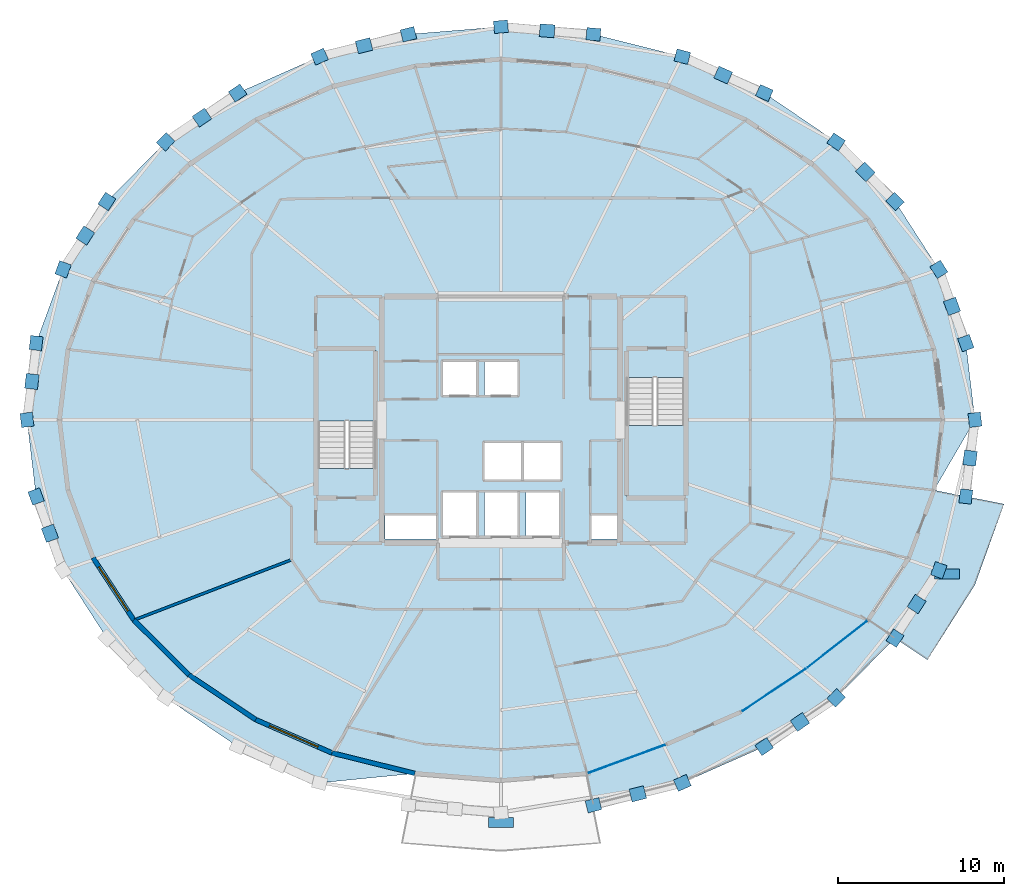
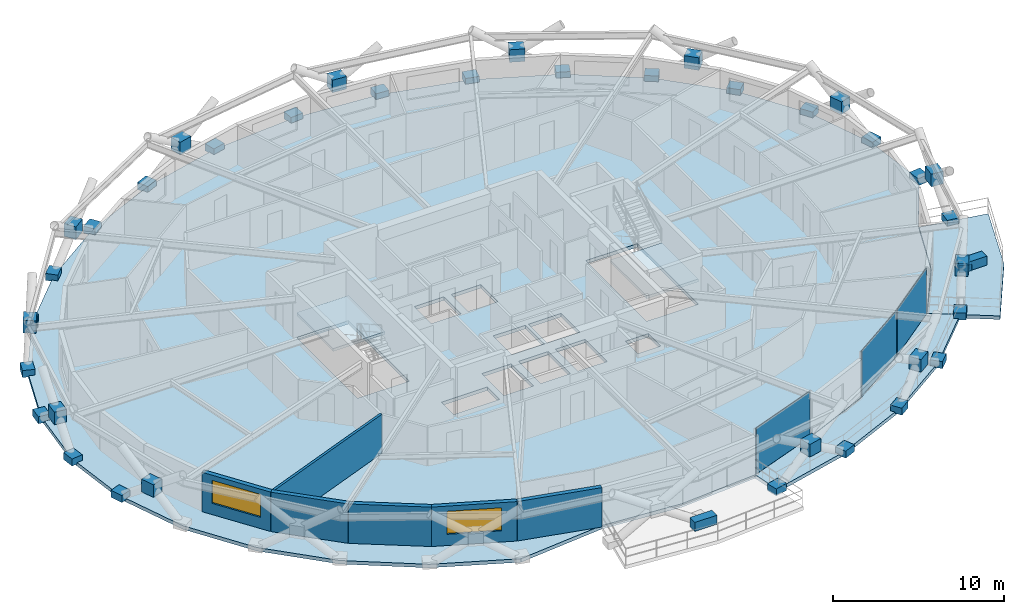
# One storey, part 6 of 12: 43 plates, 6 walls, 5 slabs, 2 windows, 2 openings, 4 elements without a shape of their own.
"""IFC4 building model written with IfcOpenShell, lengths in metres."""

from ifc_helpers import new_model, si_unit, direction, frame, frame_2d, origin, origin_2d, place, context, subcontext, project, spatial, polyline, rectangle, outline, extrude, material, layer, layer_set, type_object, element, fill, aggregate, save


model = new_model("IFC4")

# Units and contexts
model_context = context("Model", 3, precision=1e-05, world=origin(), true_north=direction((0.0, 1.0)))
body_context = subcontext(model_context, "Body", "Model", "MODEL_VIEW")
ifc_project = project(units=[si_unit("LENGTHUNIT", "METRE"), si_unit("AREAUNIT", "SQUARE_METRE"), si_unit("VOLUMEUNIT", "CUBIC_METRE"), si_unit("PLANEANGLEUNIT", "RADIAN"), si_unit("MASSUNIT", "GRAM", prefix="KILO")], contexts=[model_context])

# Site, building, storey
site_placement = place(None, origin())
site = spatial("IfcSite", under=ifc_project, at=site_placement, CompositionType="ELEMENT")
building_placement = place(site_placement, origin())
building = spatial("IfcBuilding", under=site, at=building_placement, Name="Veldorina Hangang Commons", CompositionType="ELEMENT")
storey_placement = place(building_placement, frame((0.0, 0.0, 124.39990234375)))
storey = spatial("IfcBuildingStorey", under=building, at=storey_placement, Name="L31", CompositionType="ELEMENT", Elevation=124.39990234375)

# Curtain wall, plate
ifc_material_1 = material(Name="Glass Low-E Triple IGU", Category="glass")
ifc_layer_1 = layer(ifc_material_1, 0.179931640625)
ifc_layer_set_1 = layer_set([ifc_layer_1], Name="Glass Low-E Triple IGU")
curtain_wall_type = type_object("IfcCurtainWallType", Name="CW-SYS-Z2", PredefinedType="NOTDEFINED", material=ifc_layer_set_1)
curtain_wall_1_placement = place(storey_placement, origin())
curtain_wall_1 = element("IfcCurtainWall", 1, at=curtain_wall_1_placement, inside=storey, type_object=curtain_wall_type, Name="L31 unitised curtain wall CW-L31-R1", PredefinedType="NOTDEFINED")
ifc_layer_2 = layer(ifc_material_1, 0.0400390625)
ifc_layer_set_2 = layer_set([ifc_layer_2], Name="Glass Low-E Triple IGU")
plate_type_1 = type_object("IfcPlateType", Name="CW-PNL-VIS", PredefinedType="CURTAIN_PANEL", material=ifc_layer_set_2)
plate_1_placement = place(storey_placement, frame((39.596435546875, 3.518310546875, 0.01513671875), z_axis=(0.0, 0.0, 1.0), x_axis=(0.938812030489, 0.344429922349, 0.0)))
plate_1 = element("IfcPlate", 2, at=plate_1_placement, type_object=plate_type_1, Name="CW-L31-R1 facet 1 glazed vision panel", PredefinedType="CURTAIN_PANEL", context=body_context, shape_type="SweptSolid", body=[
    extrude(rectangle(XDim=4.92041015625, YDim=0.0400390625, at=origin_2d()), origin(), (0.0, 0.0, 1.0), 3.280029296875),
])
aggregate(curtain_wall_1, [plate_1])

# Curtain wall, plates
curtain_wall_2_placement = place(storey_placement, origin())
curtain_wall_2 = element("IfcCurtainWall", 3, at=curtain_wall_2_placement, inside=storey, type_object=curtain_wall_type, Name="L31 unitised curtain wall CW-L31-R2", PredefinedType="NOTDEFINED")
plate_2_placement = place(storey_placement, frame((48.482177734375, 7.6767578125, 0.01513671875), z_axis=(0.0, 0.0, 1.0), x_axis=(0.831925069404, 0.554887987703, 0.0)))
plate_2 = element("IfcPlate", 4, at=plate_2_placement, type_object=plate_type_1, Name="CW-L31-R2 facet 1 glazed vision panel", PredefinedType="CURTAIN_PANEL", context=body_context, shape_type="SweptSolid", body=[
    extrude(rectangle(XDim=4.575439453125, YDim=0.0400390625, at=origin_2d()), origin(), (0.0, 0.0, 1.0), 3.280029296875),
])
plate_3_placement = place(storey_placement, frame((52.31640625, 10.4482421875, 0.01513671875), z_axis=(0.0, 0.0, 1.0), x_axis=(0.787602258173, 0.616183968406, 0.0)))
plate_3 = element("IfcPlate", 5, at=plate_3_placement, type_object=plate_type_1, Name="CW-L31-R2 facet 2 glazed vision panel", PredefinedType="CURTAIN_PANEL", context=body_context, shape_type="SweptSolid", body=[
    extrude(rectangle(XDim=4.533447265625, YDim=0.0400390625, at=origin_2d()), origin(), (0.0, 0.0, 1.0), 3.280029296875),
])
aggregate(curtain_wall_2, [plate_2, plate_3])

# Plates
ifc_material_2 = material(Name="Steel SM460-TMC", Category="steel")
ifc_layer_3 = layer(ifc_material_2, 0.035888671875)
ifc_layer_set_3 = layer_set([ifc_layer_3], Name="Steel SM460-TMC")
plate_type_2 = type_object("IfcPlateType", Name="PL-STAR-36", PredefinedType="USERDEFINED", material=ifc_layer_set_3)
for number, where, z_axis, x_axis, name in (
    (6, (60.626708984375, 24.0, -0.08984375), (0.0, 0.0, 1.0), (-0.117953362677, 0.993019135885, 0.0), "L31 diagrid star-node gusset plate 00"),
    (7, (60.076416015625, 28.631103515625, -0.08984375), (0.0, 0.0, 1.0), (-0.343544960014, 0.939136231038, 0.0), "L31 diagrid star-node gusset plate 01"),
):
    element("IfcPlate", number, at=place(storey_placement, frame(where, z_axis=z_axis, x_axis=x_axis)), inside=storey, type_object=plate_type_2, Name=name, ObjectType="GUSSET PLATE", PredefinedType="USERDEFINED", context=body_context, shape_type="SweptSolid", body=[
        extrude(rectangle(XDim=0.85009765625, YDim=0.75, at=origin_2d()), origin(), (0.0, 0.0, 1.0), 0.5),
    ])
plate_4_placement = place(storey_placement, frame((59.242431640625, 30.853759765625, 1.351318359375), z_axis=(0.0, 0.0, 1.0), x_axis=(-0.343544960014, 0.939136231038, 0.0)))
element("IfcPlate", 8, at=plate_4_placement, inside=storey, type_object=plate_type_2, Name="L31 diagrid X-crossing star-node gusset plate 01", ObjectType="GUSSET PLATE", PredefinedType="USERDEFINED", context=body_context, shape_type="SweptSolid", body=[
    extrude(rectangle(XDim=0.89990234375, YDim=0.780029296875, at=origin_2d()), origin(), (0.0, 0.0, 1.0), 0.89990234375),
])
for number, where, z_axis, x_axis, name in (
    (9, (58.447509765625, 33.08447265625, -0.08984375), (0.0, 0.0, 1.0), (-0.541781561494, 0.840519327336, 0.0), "L31 diagrid star-node gusset plate 02"),
    (10, (55.802001953125, 37.1884765625, -0.08984375), (0.0, 0.0, 1.0), (-0.703419513964, 0.710774920333, 0.0), "L31 diagrid star-node gusset plate 03"),
):
    element("IfcPlate", number, at=place(storey_placement, frame(where, z_axis=z_axis, x_axis=x_axis)), inside=storey, type_object=plate_type_2, Name=name, ObjectType="GUSSET PLATE", PredefinedType="USERDEFINED", context=body_context, shape_type="SweptSolid", body=[
        extrude(rectangle(XDim=0.85009765625, YDim=0.75, at=origin_2d()), origin(), (0.0, 0.0, 1.0), 0.5),
    ])
plate_5_placement = place(storey_placement, frame((54.00634765625, 38.97802734375, 1.351318359375), z_axis=(0.0, 0.0, 1.0), x_axis=(-0.703419513964, 0.710774920333, 0.0)))
element("IfcPlate", 11, at=plate_5_placement, inside=storey, type_object=plate_type_2, Name="L31 diagrid X-crossing star-node gusset plate 03", ObjectType="GUSSET PLATE", PredefinedType="USERDEFINED", context=body_context, shape_type="SweptSolid", body=[
    extrude(rectangle(XDim=0.89990234375, YDim=0.780029296875, at=origin_2d()), origin(), (0.0, 0.0, 1.0), 0.89990234375),
])
for number, where, z_axis, x_axis, name in (
    (12, (52.2421875, 40.78564453125, -0.08984375), (0.0, 0.0, 1.0), (-0.826717424237, 0.562617365945, 0.0), "L31 diagrid star-node gusset plate 04"),
    (13, (47.904052734375, 43.73779296875, -0.08984375), (0.0, 0.0, 1.0), (-0.91421859648, 0.405221368946, 0.0), "L31 diagrid star-node gusset plate 05"),
):
    element("IfcPlate", number, at=place(storey_placement, frame(where, z_axis=z_axis, x_axis=x_axis)), inside=storey, type_object=plate_type_2, Name=name, ObjectType="GUSSET PLATE", PredefinedType="USERDEFINED", context=body_context, shape_type="SweptSolid", body=[
        extrude(rectangle(XDim=0.85009765625, YDim=0.75, at=origin_2d()), origin(), (0.0, 0.0, 1.0), 0.5),
    ])
plate_6_placement = place(storey_placement, frame((45.419921875, 44.822265625, 1.3515625), z_axis=(0.0, 0.0, 1.0), x_axis=(-0.91421859648, 0.405221368946, 0.0)))
element("IfcPlate", 14, at=plate_6_placement, inside=storey, type_object=plate_type_2, Name="L31 diagrid X-crossing star-node gusset plate 05", ObjectType="GUSSET PLATE", PredefinedType="USERDEFINED", context=body_context, shape_type="SweptSolid", body=[
    extrude(rectangle(XDim=0.89990234375, YDim=0.780029296875, at=origin_2d()), origin(), (0.0, 0.0, 1.0), 0.89990234375),
])
for number, where, z_axis, x_axis, name in (
    (15, (42.954833984375, 45.931640625, -0.08984375), (0.0, 0.0, 1.0), (-0.969786918517, 0.243953546137, 0.0), "L31 diagrid star-node gusset plate 06"),
    (16, (37.584716796875, 47.282470703125, -0.08984375), (0.0, 0.0, 1.0), (-0.996681573939, 0.081399263944, 0.0), "L31 diagrid star-node gusset plate 07"),
):
    element("IfcPlate", number, at=place(storey_placement, frame(where, z_axis=z_axis, x_axis=x_axis)), inside=storey, type_object=plate_type_2, Name=name, ObjectType="GUSSET PLATE", PredefinedType="USERDEFINED", context=body_context, shape_type="SweptSolid", body=[
        extrude(rectangle(XDim=0.85009765625, YDim=0.75, at=origin_2d()), origin(), (0.0, 0.0, 1.0), 0.5),
    ])
plate_7_placement = place(storey_placement, frame((34.790283203125, 47.496337890625, 1.3515625), z_axis=(0.0, 0.0, 1.0), x_axis=(-0.996681573939, 0.081399263944, 0.0)))
element("IfcPlate", 17, at=plate_7_placement, inside=storey, type_object=plate_type_2, Name="L31 diagrid X-crossing star-node gusset plate 07", ObjectType="GUSSET PLATE", PredefinedType="USERDEFINED", context=body_context, shape_type="SweptSolid", body=[
    extrude(rectangle(XDim=0.89990234375, YDim=0.780029296875, at=origin_2d()), origin(), (0.0, 0.0, 1.0), 0.89990234375),
])
for number, where, z_axis, x_axis, name in (
    (18, (32.0, 47.738525390625, -0.08984375), (0.0, 0.0, 1.0), (-0.996681573939, -0.081399263944, 0.0), "L31 diagrid star-node gusset plate 08"),
    (19, (26.415283203125, 47.282470703125, -0.08984375), (0.0, 0.0, 1.0), (-0.969786918517, -0.243953546137, 0.0), "L31 diagrid star-node gusset plate 09"),
):
    element("IfcPlate", number, at=place(storey_placement, frame(where, z_axis=z_axis, x_axis=x_axis)), inside=storey, type_object=plate_type_2, Name=name, ObjectType="GUSSET PLATE", PredefinedType="USERDEFINED", context=body_context, shape_type="SweptSolid", body=[
        extrude(rectangle(XDim=0.85009765625, YDim=0.75, at=origin_2d()), origin(), (0.0, 0.0, 1.0), 0.5),
    ])
plate_8_placement = place(storey_placement, frame((23.736083984375, 46.59326171875, 1.3515625), z_axis=(0.0, 0.0, 1.0), x_axis=(-0.969786918517, -0.243953546137, 0.0)))
element("IfcPlate", 20, at=plate_8_placement, inside=storey, type_object=plate_type_2, Name="L31 diagrid X-crossing star-node gusset plate 09", ObjectType="GUSSET PLATE", PredefinedType="USERDEFINED", context=body_context, shape_type="SweptSolid", body=[
    extrude(rectangle(XDim=0.89990234375, YDim=0.780029296875, at=origin_2d()), origin(), (0.0, 0.0, 1.0), 0.89990234375),
])
for number, where, z_axis, x_axis, name in (
    (21, (21.045166015625, 45.931640625, -0.08984375), (0.0, 0.0, 1.0), (-0.91421859648, -0.405221368946, 0.0), "L31 diagrid star-node gusset plate 10"),
    (22, (16.095947265625, 43.73779296875, -0.08984375), (0.0, 0.0, 1.0), (-0.826717424237, -0.562617365945, 0.0), "L31 diagrid star-node gusset plate 11"),
):
    element("IfcPlate", number, at=place(storey_placement, frame(where, z_axis=z_axis, x_axis=x_axis)), inside=storey, type_object=plate_type_2, Name=name, ObjectType="GUSSET PLATE", PredefinedType="USERDEFINED", context=body_context, shape_type="SweptSolid", body=[
        extrude(rectangle(XDim=0.85009765625, YDim=0.75, at=origin_2d()), origin(), (0.0, 0.0, 1.0), 0.5),
    ])
plate_9_placement = place(storey_placement, frame((13.93994140625, 42.25048828125, 1.351318359375), z_axis=(0.0, 0.0, 1.0), x_axis=(-0.826717424237, -0.562617365945, 0.0)))
element("IfcPlate", 23, at=plate_9_placement, inside=storey, type_object=plate_type_2, Name="L31 diagrid X-crossing star-node gusset plate 11", ObjectType="GUSSET PLATE", PredefinedType="USERDEFINED", context=body_context, shape_type="SweptSolid", body=[
    extrude(rectangle(XDim=0.89990234375, YDim=0.780029296875, at=origin_2d()), origin(), (0.0, 0.0, 1.0), 0.89990234375),
])
for number, where, z_axis, x_axis, name in (
    (24, (11.7578125, 40.78564453125, -0.08984375), (0.0, 0.0, 1.0), (-0.703419513964, -0.710774920333, 0.0), "L31 diagrid star-node gusset plate 12"),
    (25, (8.197998046875, 37.1884765625, -0.08984375), (0.0, 0.0, 1.0), (-0.541781561494, -0.840519327336, 0.0), "L31 diagrid star-node gusset plate 13"),
):
    element("IfcPlate", number, at=place(storey_placement, frame(where, z_axis=z_axis, x_axis=x_axis)), inside=storey, type_object=plate_type_2, Name=name, ObjectType="GUSSET PLATE", PredefinedType="USERDEFINED", context=body_context, shape_type="SweptSolid", body=[
        extrude(rectangle(XDim=0.85009765625, YDim=0.75, at=origin_2d()), origin(), (0.0, 0.0, 1.0), 0.5),
    ])
plate_10_placement = place(storey_placement, frame((6.893310546875, 35.129638671875, 1.351318359375), z_axis=(0.0, 0.0, 1.0), x_axis=(-0.541781561494, -0.840519327336, 0.0)))
element("IfcPlate", 26, at=plate_10_placement, inside=storey, type_object=plate_type_2, Name="L31 diagrid X-crossing star-node gusset plate 13", ObjectType="GUSSET PLATE", PredefinedType="USERDEFINED", context=body_context, shape_type="SweptSolid", body=[
    extrude(rectangle(XDim=0.89990234375, YDim=0.780029296875, at=origin_2d()), origin(), (0.0, 0.0, 1.0), 0.89990234375),
])
for number, where, z_axis, x_axis, name in (
    (27, (5.552490234375, 33.08447265625, -0.08984375), (0.0, 0.0, 1.0), (-0.343544960014, -0.939136231038, 0.0), "L31 diagrid star-node gusset plate 14"),
    (28, (3.923583984375, 28.631103515625, -0.08984375), (0.0, 0.0, 1.0), (-0.117953362677, -0.993019135885, 0.0), "L31 diagrid star-node gusset plate 15"),
):
    element("IfcPlate", number, at=place(storey_placement, frame(where, z_axis=z_axis, x_axis=x_axis)), inside=storey, type_object=plate_type_2, Name=name, ObjectType="GUSSET PLATE", PredefinedType="USERDEFINED", context=body_context, shape_type="SweptSolid", body=[
        extrude(rectangle(XDim=0.85009765625, YDim=0.75, at=origin_2d()), origin(), (0.0, 0.0, 1.0), 0.5),
    ])
plate_11_placement = place(storey_placement, frame((3.668701171875, 26.314208984375, 1.351318359375), z_axis=(0.0, 0.0, 1.0), x_axis=(-0.117953362677, -0.993019135885, 0.0)))
element("IfcPlate", 29, at=plate_11_placement, inside=storey, type_object=plate_type_2, Name="L31 diagrid X-crossing star-node gusset plate 15", ObjectType="GUSSET PLATE", PredefinedType="USERDEFINED", context=body_context, shape_type="SweptSolid", body=[
    extrude(rectangle(XDim=0.89990234375, YDim=0.780029296875, at=origin_2d()), origin(), (0.0, 0.0, 1.0), 0.89990234375),
])
for number, where, z_axis, x_axis, name in (
    (30, (3.373291015625, 24.0, -0.08984375), (0.0, 0.0, 1.0), (0.117953362677, -0.993019135885, 0.0), "L31 diagrid star-node gusset plate 16"),
    (31, (3.923583984375, 19.368896484375, -0.08984375), (0.0, 0.0, 1.0), (0.343544960014, -0.939136231038, 0.0), "L31 diagrid star-node gusset plate 17"),
):
    element("IfcPlate", number, at=place(storey_placement, frame(where, z_axis=z_axis, x_axis=x_axis)), inside=storey, type_object=plate_type_2, Name=name, ObjectType="GUSSET PLATE", PredefinedType="USERDEFINED", context=body_context, shape_type="SweptSolid", body=[
        extrude(rectangle(XDim=0.85009765625, YDim=0.75, at=origin_2d()), origin(), (0.0, 0.0, 1.0), 0.5),
    ])
plate_12_placement = place(storey_placement, frame((4.757568359375, 17.146240234375, 1.351318359375), z_axis=(0.0, 0.0, 1.0), x_axis=(0.343544960014, -0.939136231038, 0.0)))
element("IfcPlate", 32, at=plate_12_placement, inside=storey, type_object=plate_type_2, Name="L31 diagrid X-crossing star-node gusset plate 17", ObjectType="GUSSET PLATE", PredefinedType="USERDEFINED", context=body_context, shape_type="SweptSolid", body=[
    extrude(rectangle(XDim=0.89990234375, YDim=0.780029296875, at=origin_2d()), origin(), (0.0, 0.0, 1.0), 0.89990234375),
])
plate_13_placement = place(storey_placement, frame((37.584716796875, 0.717529296875, -0.08984375), z_axis=(0.0, 0.0, 1.0), x_axis=(0.969786918517, 0.243953546137, 0.0)))
element("IfcPlate", 33, at=plate_13_placement, inside=storey, type_object=plate_type_2, Name="L31 diagrid star-node gusset plate 25", ObjectType="GUSSET PLATE", PredefinedType="USERDEFINED", context=body_context, shape_type="SweptSolid", body=[
    extrude(rectangle(XDim=0.85009765625, YDim=0.75, at=origin_2d()), origin(), (0.0, 0.0, 1.0), 0.5),
])
plate_14_placement = place(storey_placement, frame((40.263916015625, 1.40673828125, 1.3515625), z_axis=(0.0, 0.0, 1.0), x_axis=(0.969786918517, 0.243953546137, 0.0)))
element("IfcPlate", 34, at=plate_14_placement, inside=storey, type_object=plate_type_2, Name="L31 diagrid X-crossing star-node gusset plate 25", ObjectType="GUSSET PLATE", PredefinedType="USERDEFINED", context=body_context, shape_type="SweptSolid", body=[
    extrude(rectangle(XDim=0.89990234375, YDim=0.780029296875, at=origin_2d()), origin(), (0.0, 0.0, 1.0), 0.89990234375),
])
for number, where, z_axis, x_axis, name in (
    (35, (42.954833984375, 2.068359375, -0.08984375), (0.0, 0.0, 1.0), (0.91421859648, 0.405221368946, 0.0), "L31 diagrid star-node gusset plate 26"),
    (36, (47.904052734375, 4.26220703125, -0.08984375), (0.0, 0.0, 1.0), (0.826717424237, 0.562617365945, 0.0), "L31 diagrid star-node gusset plate 27"),
):
    element("IfcPlate", number, at=place(storey_placement, frame(where, z_axis=z_axis, x_axis=x_axis)), inside=storey, type_object=plate_type_2, Name=name, ObjectType="GUSSET PLATE", PredefinedType="USERDEFINED", context=body_context, shape_type="SweptSolid", body=[
        extrude(rectangle(XDim=0.85009765625, YDim=0.75, at=origin_2d()), origin(), (0.0, 0.0, 1.0), 0.5),
    ])
plate_15_placement = place(storey_placement, frame((50.06005859375, 5.74951171875, 1.351318359375), z_axis=(0.0, 0.0, 1.0), x_axis=(0.826717424237, 0.562617365945, 0.0)))
element("IfcPlate", 37, at=plate_15_placement, inside=storey, type_object=plate_type_2, Name="L31 diagrid X-crossing star-node gusset plate 27", ObjectType="GUSSET PLATE", PredefinedType="USERDEFINED", context=body_context, shape_type="SweptSolid", body=[
    extrude(rectangle(XDim=0.89990234375, YDim=0.780029296875, at=origin_2d()), origin(), (0.0, 0.0, 1.0), 0.89990234375),
])
for number, where, z_axis, x_axis, name in (
    (38, (52.2421875, 7.21435546875, -0.08984375), (0.0, 0.0, 1.0), (0.703419513964, 0.710774920333, 0.0), "L31 diagrid star-node gusset plate 28"),
    (39, (55.802001953125, 10.8115234375, -0.08984375), (0.0, 0.0, 1.0), (0.541781561494, 0.840519327336, 0.0), "L31 diagrid star-node gusset plate 29"),
):
    element("IfcPlate", number, at=place(storey_placement, frame(where, z_axis=z_axis, x_axis=x_axis)), inside=storey, type_object=plate_type_2, Name=name, ObjectType="GUSSET PLATE", PredefinedType="USERDEFINED", context=body_context, shape_type="SweptSolid", body=[
        extrude(rectangle(XDim=0.85009765625, YDim=0.75, at=origin_2d()), origin(), (0.0, 0.0, 1.0), 0.5),
    ])
plate_16_placement = place(storey_placement, frame((57.106689453125, 12.870361328125, 1.351318359375), z_axis=(0.0, 0.0, 1.0), x_axis=(0.541781561494, 0.840519327336, 0.0)))
element("IfcPlate", 40, at=plate_16_placement, inside=storey, type_object=plate_type_2, Name="L31 diagrid X-crossing star-node gusset plate 29", ObjectType="GUSSET PLATE", PredefinedType="USERDEFINED", context=body_context, shape_type="SweptSolid", body=[
    extrude(rectangle(XDim=0.89990234375, YDim=0.780029296875, at=origin_2d()), origin(), (0.0, 0.0, 1.0), 0.89990234375),
])
for number, where, z_axis, x_axis, name in (
    (41, (58.447509765625, 14.91552734375, -0.08984375), (0.0, 0.0, 1.0), (0.343544960014, 0.939136231038, 0.0), "L31 diagrid star-node gusset plate 30"),
    (42, (60.076416015625, 19.368896484375, -0.08984375), (0.0, 0.0, 1.0), (0.117953362677, 0.993019135885, 0.0), "L31 diagrid star-node gusset plate 31"),
):
    element("IfcPlate", number, at=place(storey_placement, frame(where, z_axis=z_axis, x_axis=x_axis)), inside=storey, type_object=plate_type_2, Name=name, ObjectType="GUSSET PLATE", PredefinedType="USERDEFINED", context=body_context, shape_type="SweptSolid", body=[
        extrude(rectangle(XDim=0.85009765625, YDim=0.75, at=origin_2d()), origin(), (0.0, 0.0, 1.0), 0.5),
    ])
plate_17_placement = place(storey_placement, frame((60.331298828125, 21.685791015625, 1.351318359375), z_axis=(0.0, 0.0, 1.0), x_axis=(0.117953362677, 0.993019135885, 0.0)))
element("IfcPlate", 43, at=plate_17_placement, inside=storey, type_object=plate_type_2, Name="L31 diagrid X-crossing star-node gusset plate 31", ObjectType="GUSSET PLATE", PredefinedType="USERDEFINED", context=body_context, shape_type="SweptSolid", body=[
    extrude(rectangle(XDim=0.89990234375, YDim=0.780029296875, at=origin_2d()), origin(), (0.0, 0.0, 1.0), 0.89990234375),
])
ifc_material_3 = material(Name="Stone Roman Travertine", Category="masonry")
ifc_layer_4 = layer(ifc_material_3, 0.64990234375)
ifc_layer_set_4 = layer_set([ifc_layer_4], Name="Stone Roman Travertine")
plate_type_3 = type_object("IfcPlateType", Name="PLN-TBAL-1800", PredefinedType="USERDEFINED", material=ifc_layer_set_4)
for number, where, z_axis, x_axis, name in (
    (44, (32.0, -0.324462890625, 0.000244140625), (0.0, 0.0, 1.0), (1.0, 0.0, 0.0), "L31 TREE BALCONY PLANTER 1"),
    (45, (58.930908203125, 14.69140625, 0.000244140625), (0.0, 0.0, 1.0), (1.0, 0.0, 0.0), "L31 TREE BALCONY PLANTER 2"),
):
    element("IfcPlate", number, at=place(storey_placement, frame(where, z_axis=z_axis, x_axis=x_axis)), inside=storey, type_object=plate_type_3, Name=name, ObjectType="PLANTER", PredefinedType="USERDEFINED", context=body_context, shape_type="SweptSolid", body=[
        extrude(rectangle(XDim=1.5, YDim=0.60009765625, at=origin_2d()), origin(), (0.0, 0.0, 1.0), 0.64990234375),
    ])

# Slabs
ifc_material_4 = material(Name="Concrete C40/50", Category="concrete")
ifc_layer_5 = layer(ifc_material_4, 0.25)
ifc_layer_set_5 = layer_set([ifc_layer_5], Name="Concrete C40/50")
slab_type_1 = type_object("IfcSlabType", Name="SL-FLR-250", PredefinedType="FLOOR", material=ifc_layer_set_5)
slab_1_placement = place(storey_placement, frame((0.0, 0.0, -0.25)))
element("IfcSlab", 46, at=slab_1_placement, inside=storey, type_object=slab_type_1, Name="L31 tower structural floor slab", PredefinedType="FLOOR", context=body_context, shape_type="SweptSolid", body=[
    extrude(outline(polyline([(60.626708984375, 24.0), (60.076416015625, 28.631103515625), (58.447509765625, 33.08447265625), (55.802001953125, 37.1884765625), (52.2421875, 40.78564453125), (47.904052734375, 43.73779296875), (42.954833984375, 45.931640625), (37.584716796875, 47.282470703125), (32.0, 47.738525390625), (26.415283203125, 47.282470703125), (21.045166015625, 45.931640625), (16.095947265625, 43.73779296875), (11.7578125, 40.78564453125), (8.197998046875, 37.1884765625), (5.552490234375, 33.08447265625), (3.923583984375, 28.631103515625), (3.373291015625, 24.0), (3.923583984375, 19.368896484375), (5.552490234375, 14.91552734375), (8.197998046875, 10.8115234375), (11.7578125, 7.21435546875), (16.095947265625, 4.26220703125), (21.045166015625, 2.068359375), (26.797607421875, 2.639892578125), (32.0, 2.221435546875), (37.202392578125, 2.639892578125), (41.990478515625, 4.396484375), (46.50390625, 6.357421875), (50.460205078125, 8.99609375), (54.172607421875, 11.900390625), (56.63671875, 15.665771484375), (58.154296875, 19.751220703125), (60.626708984375, 24.0)]), holes=[polyline([(20.949951171875, 21.05810546875), (20.949951171875, 28.199951171875), (24.449951171875, 28.199951171875), (24.449951171875, 21.05810546875), (20.949951171875, 21.05810546875)]), polyline([(43.050048828125, 26.5419921875), (43.050048828125, 19.39990234375), (39.550048828125, 19.39990234375), (39.550048828125, 26.5419921875), (43.050048828125, 26.5419921875)]), polyline([(28.5, 27.5), (30.5, 27.5), (30.5, 25.5), (28.5, 25.5), (28.5, 27.5)]), polyline([(31.0, 27.5), (33.0, 27.5), (33.0, 25.5), (31.0, 25.5), (31.0, 27.5)]), polyline([(31.0, 22.60009765625), (33.199951171875, 22.60009765625), (33.199951171875, 20.39990234375), (31.0, 20.39990234375), (31.0, 22.60009765625)]), polyline([(33.39990234375, 22.60009765625), (35.60009765625, 22.60009765625), (35.60009765625, 20.39990234375), (33.39990234375, 20.39990234375), (33.39990234375, 22.60009765625)]), polyline([(28.5, 19.60009765625), (30.5, 19.60009765625), (30.5, 17.0), (28.5, 17.0), (28.5, 19.60009765625)]), polyline([(31.0, 19.60009765625), (33.0, 19.60009765625), (33.0, 17.0), (31.0, 17.0), (31.0, 19.60009765625)]), polyline([(33.5, 19.60009765625), (35.5, 19.60009765625), (35.5, 17.0), (33.5, 17.0), (33.5, 19.60009765625)]), polyline([(25.0, 18.25), (28.10009765625, 18.25), (28.10009765625, 16.800048828125), (25.0, 16.800048828125), (25.0, 18.25)]), polyline([(37.449951171875, 18.25), (39.0, 18.25), (39.0, 16.800048828125), (37.449951171875, 16.800048828125), (37.449951171875, 18.25)])]), origin(), (0.0, 0.0, 1.0), 0.25),
])
slab_2_placement = place(storey_placement, frame((0.0, 0.0, -0.25)))
element("IfcSlab", 47, at=slab_2_placement, inside=storey, type_object=slab_type_1, Name="L31 sky-garden loggia outdoor slab", PredefinedType="FLOOR", context=body_context, shape_type="SweptSolid", body=[
    extrude(outline(polyline([(55.802001953125, 10.8115234375), (52.2421875, 7.21435546875), (47.904052734375, 4.26220703125), (42.954833984375, 2.068359375), (37.584716796875, 0.717529296875), (37.205322265625, 2.625244140625), (37.206298828125, 2.62548828125), (37.20751953125, 2.625732421875), (41.995849609375, 4.382568359375), (41.99658203125, 4.3828125), (46.510009765625, 6.343505859375), (46.51123046875, 6.34423828125), (46.51220703125, 6.344970703125), (50.468505859375, 8.983642578125), (50.469482421875, 8.984375), (54.181640625, 11.888671875), (54.18310546875, 11.889892578125), (54.18408203125, 11.89111328125), (54.18505859375, 11.89208984375), (55.802001953125, 10.8115234375)])), origin(), (0.0, 0.0, 1.0), 0.25),
])
slab_3_placement = place(storey_placement, frame((0.0, 0.0, -0.25)))
element("IfcSlab", 48, at=slab_3_placement, inside=storey, type_object=slab_type_1, Name="L31 planted tree balcony slab 2", PredefinedType="FLOOR", context=body_context, shape_type="SweptSolid", body=[
    extrude(outline(polyline([(56.6552734375, 15.657958984375), (58.173828125, 19.747314453125), (62.38134765625, 18.910400390625), (60.61865234375, 14.016357421875), (57.756103515625, 9.506103515625), (54.189208984375, 11.889404296875), (56.6552734375, 15.657958984375)])), origin(), (0.0, 0.0, 1.0), 0.25),
])

# Stair, slab
stair_type = type_object("IfcStairType", Name="STR-DOG-1650-20R", PredefinedType="HALF_TURN_STAIR", material=ifc_material_4)
stair_1_placement = place(storey_placement, origin())
stair_1 = element("IfcStair", 49, at=stair_1_placement, inside=storey, type_object=stair_type, Name="L31 Exit stair ST-1", PredefinedType="HALF_TURN_STAIR")
ifc_layer_6 = layer(ifc_material_4, 0.199951171875)
ifc_layer_set_6 = layer_set([ifc_layer_6], Name="Concrete C40/50")
slab_type_2 = type_object("IfcSlabType", Name="SL-LND-200", PredefinedType="LANDING", material=ifc_layer_set_6)
slab_4_placement = place(storey_placement, frame((0.0, 0.0, 1.60009765625)))
slab_4 = element("IfcSlab", 50, at=slab_4_placement, type_object=slab_type_2, Name="ST-1 landing 1", PredefinedType="LANDING", context=body_context, shape_type="SweptSolid", body=[
    extrude(outline(polyline([(24.449951171875, 23.929931640625), (24.449951171875, 28.199951171875), (20.949951171875, 28.199951171875), (20.949951171875, 23.929931640625), (24.449951171875, 23.929931640625)])), origin(), (0.0, 0.0, 1.0), 0.199951171875),
])
aggregate(stair_1, [slab_4])

stair_2_placement = place(storey_placement, origin())
stair_2 = element("IfcStair", 51, at=stair_2_placement, inside=storey, type_object=stair_type, Name="L31 Exit stair ST-2", PredefinedType="HALF_TURN_STAIR")
slab_5_placement = place(storey_placement, frame((0.0, 0.0, 1.60009765625)))
slab_5 = element("IfcSlab", 52, at=slab_5_placement, type_object=slab_type_2, Name="ST-2 landing 1", PredefinedType="LANDING", context=body_context, shape_type="SweptSolid", body=[
    extrude(outline(polyline([(39.550048828125, 23.669921875), (39.550048828125, 19.39990234375), (43.050048828125, 19.39990234375), (43.050048828125, 23.669921875), (39.550048828125, 23.669921875)])), origin(), (0.0, 0.0, 1.0), 0.199951171875),
])
aggregate(stair_2, [slab_5])

# Wall, opening, window
ifc_layer_7 = layer(ifc_material_3, 0.280029296875)
ifc_layer_set_7 = layer_set([ifc_layer_7], Name="Stone Roman Travertine")
wall_type_1 = type_object("IfcWallType", Name="EW-TRAV-280", PredefinedType="STANDARD", material=ifc_layer_set_7)
wall_1_placement = place(storey_placement, frame((7.36328125, 15.665771484375, 0.0), z_axis=(0.0, 0.0, 1.0), x_axis=(0.547581138096, -0.836752590197, 0.0)))
wall_1 = element("IfcWall", 53, at=wall_1_placement, inside=storey, type_object=wall_type_1, Name="L31 travertine facade wall 18", PredefinedType="STANDARD", context=body_context, shape_type="SweptSolid", body=[
    extrude(rectangle(XDim=4.5, YDim=0.280029296875, at=frame_2d((2.25, 0.0))), origin(), (0.0, 0.0, 1.0), 2.820068359375),
])
opening_1_placement = place(wall_1_placement, frame((0.64990234375, 0.0, 0.800048828125)))
opening_1 = element("IfcOpeningElement", 54, at=opening_1_placement, cuts=wall_1, Name="Opening W-01", PredefinedType="OPENING", context=body_context, shape_type="SweptSolid", body=[
    extrude(rectangle(XDim=3.199951171875, YDim=1.64990234375, at=frame_2d((1.60009765625, 0.824951171875))), frame((0.0, 0.14990234375, 0.0), z_axis=(0.0, -1.0, 0.0), x_axis=(1.0, 0.0, 0.0)), (0.0, 0.0, 1.0), 0.300048828125),
])
window_type = type_object("IfcWindowType", Name="WIN-TWR-3200", PartitioningType="SINGLE_PANEL", PredefinedType="WINDOW", material=ifc_material_1)
window_1_placement = place(opening_1_placement, origin())
window_1 = element("IfcWindow", 55, at=window_1_placement, inside=storey, type_object=window_type, Name="L31 facade window 18", OverallHeight=1.64990234375, OverallWidth=3.199951171875, PartitioningType="SINGLE_PANEL", PredefinedType="WINDOW", context=body_context, shape_type="SweptSolid", body=[
    extrude(rectangle(XDim=3.199951171875, YDim=1.64990234375, at=frame_2d((1.60009765625, 0.824951171875))), frame((0.0, 0.030029296875, 0.0), z_axis=(0.0, -1.0, 0.0), x_axis=(1.0, 0.0, 0.0)), (0.0, 0.0, 1.0), 0.06005859375),
])
fill(opening_1, window_1)

# Walls
wall_2_placement = place(storey_placement, frame((9.827392578125, 11.900390625, 0.0), z_axis=(0.0, 0.0, 1.0), x_axis=(0.708826657364, -0.70538271159, 0.0)))
element("IfcWall", 56, at=wall_2_placement, inside=storey, type_object=wall_type_1, Name="L31 travertine facade wall 19", PredefinedType="STANDARD", context=body_context, shape_type="SweptSolid", body=[
    extrude(rectangle(XDim=4.6787109375, YDim=0.280029296875, at=frame_2d((2.33935546875, 0.0))), origin(), (0.0, 0.0, 1.0), 2.820068359375),
])
wall_3_placement = place(storey_placement, frame((13.143798828125, 8.60009765625, 0.0), z_axis=(0.0, 0.0, 1.0), x_axis=(0.83069663506, -0.556725336679, 0.0)))
element("IfcWall", 57, at=wall_3_placement, inside=storey, type_object=wall_type_1, Name="L31 travertine facade wall 20", PredefinedType="STANDARD", context=body_context, shape_type="SweptSolid", body=[
    extrude(rectangle(XDim=4.864501953125, YDim=0.280029296875, at=frame_2d((2.43212890625, 0.0))), origin(), (0.0, 0.0, 1.0), 2.820068359375),
])

# Wall, opening, window
wall_4_placement = place(storey_placement, frame((17.184814453125, 5.891845703125, 0.0), z_axis=(0.0, 0.0, 1.0), x_axis=(0.916473381058, -0.400095665825, 0.0)))
wall_4 = element("IfcWall", 58, at=wall_4_placement, inside=storey, type_object=wall_type_1, Name="L31 travertine facade wall 21", PredefinedType="STANDARD", context=body_context, shape_type="SweptSolid", body=[
    extrude(rectangle(XDim=5.030517578125, YDim=0.280029296875, at=frame_2d((2.51513671875, 0.0))), origin(), (0.0, 0.0, 1.0), 2.820068359375),
])
opening_2_placement = place(wall_4_placement, frame((0.915283203125, 0.0, 0.800048828125)))
opening_2 = element("IfcOpeningElement", 59, at=opening_2_placement, cuts=wall_4, Name="Opening W-01", PredefinedType="OPENING", context=body_context, shape_type="SweptSolid", body=[
    extrude(rectangle(XDim=3.199951171875, YDim=1.64990234375, at=frame_2d((1.60009765625, 0.824951171875))), frame((0.0, 0.14990234375, 0.0), z_axis=(0.0, -1.0, 0.0), x_axis=(1.0, 0.0, 0.0)), (0.0, 0.0, 1.0), 0.300048828125),
])
window_2_placement = place(opening_2_placement, origin())
window_2 = element("IfcWindow", 60, at=window_2_placement, inside=storey, type_object=window_type, Name="L31 facade window 21", OverallHeight=1.64990234375, OverallWidth=3.199951171875, PartitioningType="SINGLE_PANEL", PredefinedType="WINDOW", context=body_context, shape_type="SweptSolid", body=[
    extrude(rectangle(XDim=3.199951171875, YDim=1.64990234375, at=frame_2d((1.60009765625, 0.824951171875))), frame((0.0, 0.030029296875, 0.0), z_axis=(0.0, -1.0, 0.0), x_axis=(1.0, 0.0, 0.0)), (0.0, 0.0, 1.0), 0.06005859375),
])
fill(opening_2, window_2)

# Walls
wall_5_placement = place(storey_placement, frame((21.795166015625, 3.879150390625, 0.0), z_axis=(0.0, 0.0, 1.0), x_axis=(0.970658593631, -0.24046183608, 0.0)))
element("IfcWall", 61, at=wall_5_placement, inside=storey, type_object=wall_type_1, Name="L31 travertine facade wall 22", PredefinedType="STANDARD", context=body_context, shape_type="SweptSolid", body=[
    extrude(rectangle(XDim=5.153564453125, YDim=0.280029296875, at=frame_2d((2.57666015625, 0.0))), origin(), (0.0, 0.0, 1.0), 2.820068359375),
])
ifc_material_5 = material(Name="Gypsum Fire-Rated Twin Stud Wall", Category="gypsum")
ifc_layer_8 = layer(ifc_material_5, 0.159912109375)
ifc_layer_set_8 = layer_set([ifc_layer_8], Name="Gypsum Fire-Rated Twin Stud Wall")
wall_type_2 = type_object("IfcWallType", Name="WL-FIRE-160", PredefinedType="SOLIDWALL", material=ifc_layer_set_8)
wall_6_placement = place(storey_placement, frame((19.35009765625, 15.547607421875, 0.0), z_axis=(0.0, 0.0, 1.0), x_axis=(-0.933853161124, -0.35765664185, 0.0)))
element("IfcWall", 62, at=wall_6_placement, inside=storey, type_object=wall_type_2, Name="L31 Unit party wall 19 118", PredefinedType="SOLIDWALL", context=body_context, shape_type="SweptSolid", body=[
    extrude(rectangle(XDim=10.14697265625, YDim=0.159912109375, at=frame_2d((5.073486328125, 0.0))), origin(), (0.0, 0.0, 1.0), 2.800048828125),
])

save(model, "model.ifc")
